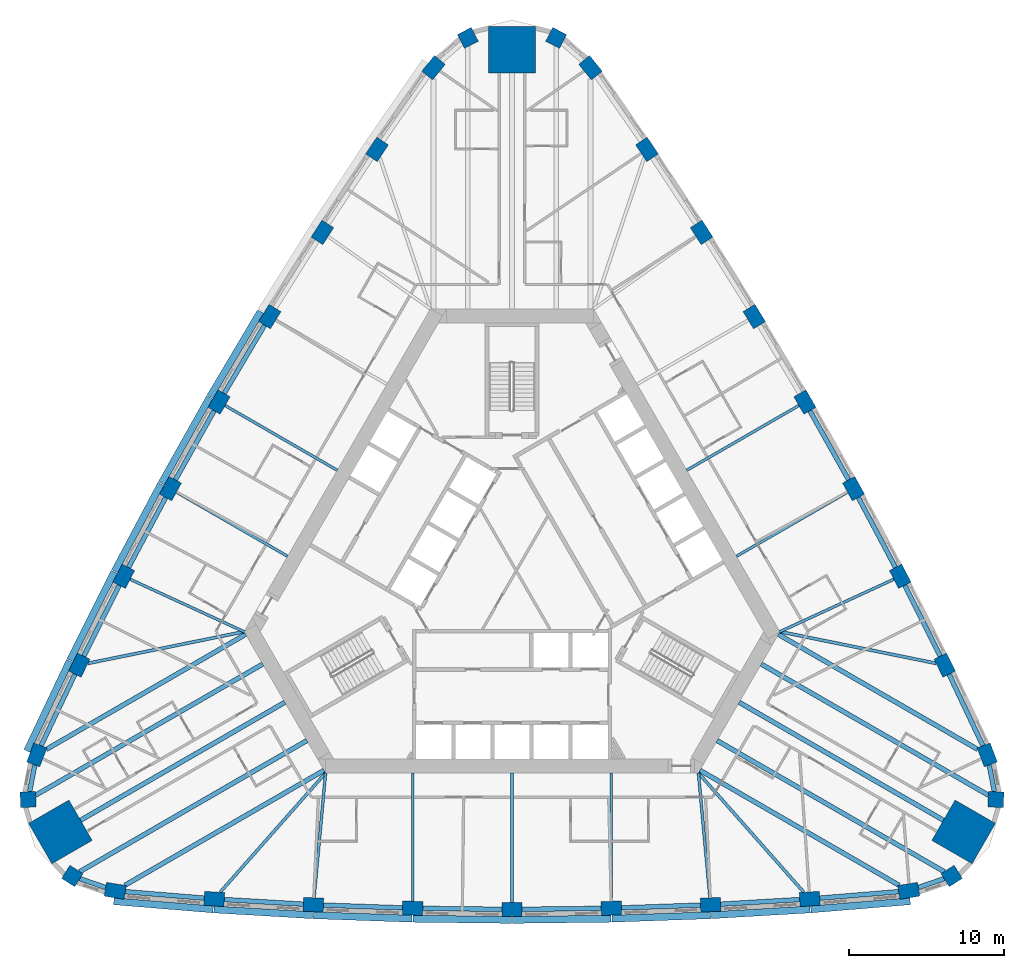
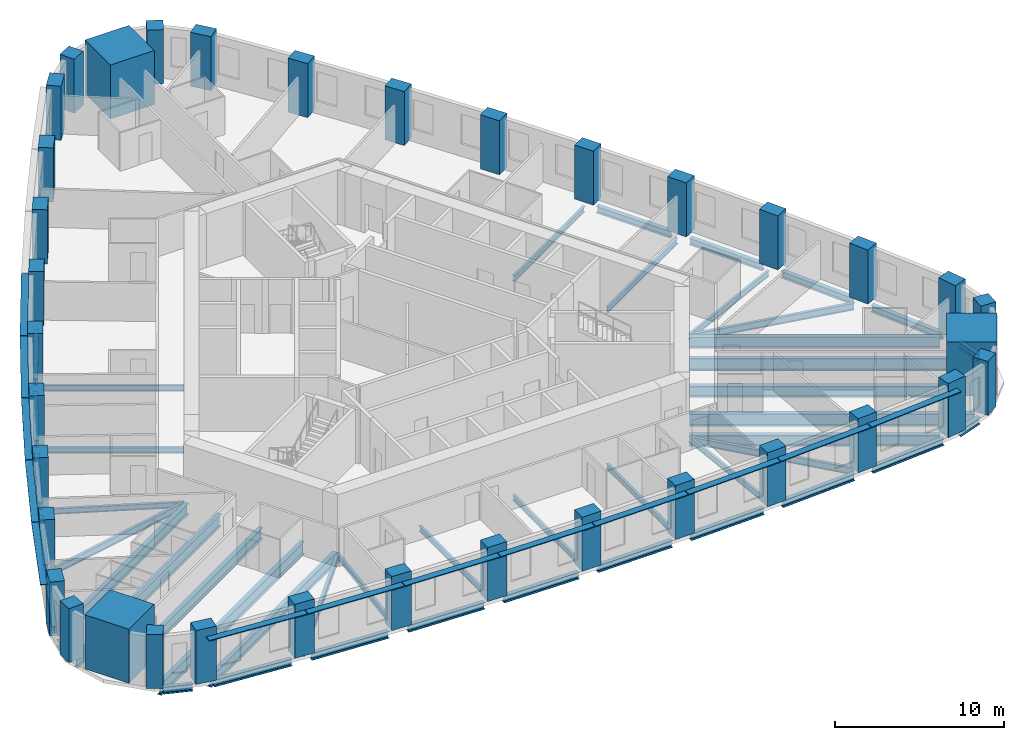
# One storey, part 1 of 12: 46 beams, 36 columns, 13 members.
"""IFC4 building model written with IfcOpenShell, lengths in metres."""

from ifc_helpers import new_model, si_unit, direction, frame, origin, origin_2d, place, context, subcontext, project, spatial, rectangle, i_section, extrude, material, material_profile, profile_set, type_object, element, save


model = new_model("IFC4")

# Units and contexts
model_context = context("Model", 3, precision=1e-05, world=origin(), true_north=direction((0.0, 1.0)))
body_context = subcontext(model_context, "Body", "Model", "MODEL_VIEW")
ifc_project = project(units=[si_unit("LENGTHUNIT", "METRE"), si_unit("AREAUNIT", "SQUARE_METRE"), si_unit("VOLUMEUNIT", "CUBIC_METRE"), si_unit("PLANEANGLEUNIT", "RADIAN"), si_unit("MASSUNIT", "GRAM", prefix="KILO")], contexts=[model_context])

# Site, building, storey
site_placement = place(None, origin())
site = spatial("IfcSite", under=ifc_project, at=site_placement, CompositionType="ELEMENT")
building_placement = place(site_placement, origin())
building = spatial("IfcBuilding", under=site, at=building_placement, Name="Mestral Congress Tower", CompositionType="ELEMENT")
storey_placement = place(building_placement, frame((0.0, 0.0, 122.699951171875)))
storey = spatial("IfcBuildingStorey", under=building, at=storey_placement, Name="L29", CompositionType="ELEMENT", Elevation=122.699951171875)

# Columns
ifc_material_1 = material(Name="Concrete C70/85", Category="concrete")
ifc_material_profile_1 = material_profile(ifc_material_1, rectangle(XDim=1.0, YDim=1.0, at=origin_2d()), Name="RC 1000x1000")
ifc_profile_set_1 = profile_set([ifc_material_profile_1], Name="Concrete C70/85")
column_type_1 = type_object("IfcColumnType", Name="Column RC 1000x1000 C70/85", PredefinedType="COLUMN", material=ifc_profile_set_1)
for number, where, z_axis, x_axis, name in (
    (1, (28.331298828125, -19.642822265625, 0.0), (0.0, 0.0, 1.0), (0.841700252504, 0.53994507585, 0.0), "COL-L29-C2-SE1"),
    (2, (31.1767578125, -14.714111328125, 0.0), (0.0, 0.0, 1.0), (0.046756026083, 0.998906338965, 0.0), "COL-L29-C2-SE3"),
    (3, (2.845703125, 34.35693359375, 0.0), (0.0, 0.0, 1.0), (-0.888456278587, 0.458961263115, 0.0), "COL-L29-C2-N1"),
    (4, (-2.845703125, 34.35693359375, 0.0), (0.0, 0.0, 1.0), (-0.888456278587, -0.458961263115, 0.0), "COL-L29-C2-N3"),
    (5, (-31.1767578125, -14.714111328125, 0.0), (0.0, 0.0, 1.0), (0.046756026083, -0.998906338965, 0.0), "COL-L29-C2-SW1"),
    (6, (-28.331298828125, -19.642822265625, 0.0), (0.0, 0.0, 1.0), (0.841700252504, -0.53994507585, 0.0), "COL-L29-C2-SW3"),
):
    element("IfcColumn", number, at=place(storey_placement, frame(where, z_axis=z_axis, x_axis=x_axis)), inside=storey, type_object=column_type_1, Name=name, PredefinedType="COLUMN", context=body_context, shape_type="SweptSolid", body=[
        extrude(rectangle(XDim=1.0, YDim=1.0, at=origin_2d()), origin(), (0.0, 0.0, 1.0), 3.900146484375),
    ])
ifc_material_profile_2 = material_profile(ifc_material_1, rectangle(XDim=1.300048828125, YDim=0.89990234375, at=origin_2d()), Name="RC 1300x900")
ifc_profile_set_2 = profile_set([ifc_material_profile_2], Name="Concrete C70/85")
column_type_2 = type_object("IfcColumnType", Name="Column RC 1300x900 C70/85", PredefinedType="COLUMN", material=ifc_profile_set_2)
for number, where, z_axis, x_axis, name in (
    (7, (-25.562744140625, -20.59716796875, 0.0), (0.0, 0.0, 1.0), (0.987202314361, -0.159472851987, 0.0), "COL-L29-C2-S00"),
    (8, (-19.184326171875, -21.120361328125, 0.0), (0.0, 0.0, 1.0), (0.997539884588, -0.07010120296, 0.0), "COL-L29-C2-S01"),
    (9, (-12.79541015625, -21.494384765625, 0.0), (0.0, 0.0, 1.0), (0.998906338965, -0.046756026083, 0.0), "COL-L29-C2-S02"),
    (10, (-6.3994140625, -21.71875, 0.0), (0.0, 0.0, 1.0), (0.99972656776, -0.023383535144, 0.0), "COL-L29-C2-S03"),
    (11, (0.0, -21.793701171875, 0.0), (0.0, 0.0, 1.0), (1.0, 0.0, 0.0), "COL-L29-C2-S04"),
    (12, (6.3994140625, -21.71875, 0.0), (0.0, 0.0, 1.0), (0.99972656776, 0.023383535144, 0.0), "COL-L29-C2-S05"),
    (13, (12.79541015625, -21.494384765625, 0.0), (0.0, 0.0, 1.0), (0.998906338965, 0.046756026083, 0.0), "COL-L29-C2-S06"),
    (14, (19.184326171875, -21.120361328125, 0.0), (0.0, 0.0, 1.0), (0.997539884588, 0.07010120296, 0.0), "COL-L29-C2-S07"),
    (15, (25.562744140625, -20.59716796875, 0.0), (0.0, 0.0, 1.0), (0.987202314361, 0.159472851987, 0.0), "COL-L29-C2-S08"),
    (16, (30.618896484375, -11.83935546875, 0.0), (0.0, 0.0, 1.0), (-0.355493616145, 0.934678708905, 0.0), "COL-L29-C2-E00"),
    (17, (27.8828125, -6.0537109375, 0.0), (0.0, 0.0, 1.0), (-0.438060519695, 0.898945482821, 0.0), "COL-L29-C2-E01"),
    (18, (25.01220703125, -0.333984375, 0.0), (0.0, 0.0, 1.0), (-0.458961263115, 0.888456278587, 0.0), "COL-L29-C2-E02"),
    (19, (22.0087890625, 5.3173828125, 0.0), (0.0, 0.0, 1.0), (-0.479612548415, 0.87748037209, 0.0), "COL-L29-C2-E03"),
    (20, (18.873779296875, 10.896728515625, 0.0), (0.0, 0.0, 1.0), (-0.5, 0.866025403784, 0.0), "COL-L29-C2-E04"),
    (21, (15.609375, 16.401611328125, 0.0), (0.0, 0.0, 1.0), (-0.520114019344, 0.854096836946, 0.0), "COL-L29-C2-E05"),
    (22, (12.217041015625, 21.828369140625, 0.0), (0.0, 0.0, 1.0), (-0.53994507585, 0.841700252504, 0.0), "COL-L29-C2-E06"),
    (23, (8.69873046875, 27.17431640625, 0.0), (0.0, 0.0, 1.0), (-0.559479364893, 0.828844279861, 0.0), "COL-L29-C2-E07"),
    (24, (5.056396484375, 32.4365234375, 0.0), (0.0, 0.0, 1.0), (-0.631708698215, 0.775205856918, 0.0), "COL-L29-C2-E08"),
    (25, (-5.056396484375, 32.4365234375, 0.0), (0.0, 0.0, 1.0), (-0.631708698215, -0.775205856918, 0.0), "COL-L29-C2-W00"),
    (26, (-8.69873046875, 27.17431640625, 0.0), (0.0, 0.0, 1.0), (-0.559479364893, -0.828844279861, 0.0), "COL-L29-C2-W01"),
    (27, (-12.217041015625, 21.828369140625, 0.0), (0.0, 0.0, 1.0), (-0.53994507585, -0.841700252504, 0.0), "COL-L29-C2-W02"),
    (28, (-15.609375, 16.401611328125, 0.0), (0.0, 0.0, 1.0), (-0.520114019344, -0.854096836946, 0.0), "COL-L29-C2-W03"),
    (29, (-18.873779296875, 10.896728515625, 0.0), (0.0, 0.0, 1.0), (-0.5, -0.866025403784, 0.0), "COL-L29-C2-W04"),
    (30, (-22.0087890625, 5.3173828125, 0.0), (0.0, 0.0, 1.0), (-0.479612548415, -0.87748037209, 0.0), "COL-L29-C2-W05"),
    (31, (-25.01220703125, -0.333984375, 0.0), (0.0, 0.0, 1.0), (-0.458961263115, -0.888456278587, 0.0), "COL-L29-C2-W06"),
    (32, (-27.8828125, -6.0537109375, 0.0), (0.0, 0.0, 1.0), (-0.438060519695, -0.898945482821, 0.0), "COL-L29-C2-W07"),
    (33, (-30.618896484375, -11.83935546875, 0.0), (0.0, 0.0, 1.0), (-0.355493616145, -0.934678708905, 0.0), "COL-L29-C2-W08"),
):
    element("IfcColumn", number, at=place(storey_placement, frame(where, z_axis=z_axis, x_axis=x_axis)), inside=storey, type_object=column_type_2, Name=name, PredefinedType="COLUMN", context=body_context, shape_type="SweptSolid", body=[
        extrude(rectangle(XDim=1.300048828125, YDim=0.89990234375, at=origin_2d()), origin(), (0.0, 0.0, 1.0), 3.900146484375),
    ])
ifc_material_2 = material(Name="Concrete C80/95", Category="concrete")
ifc_material_profile_3 = material_profile(ifc_material_2, rectangle(XDim=3.0, YDim=3.0, at=origin_2d()), Name="RC 3000x3000")
ifc_profile_set_3 = profile_set([ifc_material_profile_3], Name="Concrete C80/95")
column_type_3 = type_object("IfcColumnType", Name="Mega column RC 3000x3000 C80/95", PredefinedType="COLUMN", material=ifc_profile_set_3)
for number, where, z_axis, x_axis, name in (
    (34, (29.09716796875, -16.79931640625, 0.0), (0.0, 0.0, 1.0), (0.866025403784, -0.5, 0.0), "COL-L29-PY2-SE"),
    (35, (0.0, 33.598388671875, 0.0), (0.0, 0.0, 1.0), (0.0, 1.0, 0.0), "COL-L29-PY2-N"),
    (36, (-29.09716796875, -16.79931640625, 0.0), (0.0, 0.0, 1.0), (-0.866025403784, -0.5, 0.0), "COL-L29-PY2-SW"),
):
    element("IfcColumn", number, at=place(storey_placement, frame(where, z_axis=z_axis, x_axis=x_axis)), inside=storey, type_object=column_type_3, Name=name, PredefinedType="COLUMN", context=body_context, shape_type="SweptSolid", body=[
        extrude(rectangle(XDim=3.0, YDim=3.0, at=origin_2d()), origin(), (0.0, 0.0, 1.0), 3.900146484375),
    ])

# Members
ifc_material_3 = material(Name="Glazed ceramic", Category="masonry")
ifc_material_profile_4 = material_profile(ifc_material_3, rectangle(XDim=0.449951171875, YDim=0.06005859375, at=origin_2d()), Name="Ceramic blade 450 x 60")
ifc_profile_set_4 = profile_set([ifc_material_profile_4], Name="Glazed ceramic")
member_type = type_object("IfcMemberType", Name="Facade sunshade blade 450 x 60", PredefinedType="USERDEFINED", material=ifc_profile_set_4)
member_1_placement = place(storey_placement, frame((-25.654296875, -21.266845703125, 3.280029296875), z_axis=(0.996650616323, -0.081777435656, 0.0), x_axis=(0.081777435656, 0.996650616323, 0.0)))
element("IfcMember", 37, at=member_1_placement, inside=storey, type_object=member_type, Name="Sunshade F0-00", ObjectType="SUNSHADE", PredefinedType="USERDEFINED", context=body_context, shape_type="SweptSolid", body=[
    extrude(rectangle(XDim=0.449951171875, YDim=0.06005859375, at=origin_2d()), origin(), (0.0, 0.0, 1.0), 6.421630859375),
])
for number, where, z_axis, x_axis, name in (
    (38, (-19.208984375, -21.795166015625, 3.280029296875), (0.998292825409, -0.05840748871, 0.0), (0.05840748871, 0.998292825409, 0.0), "Sunshade F0-01"),
    (39, (-12.80419921875, -22.16943359375, 3.280029296875), (0.999384970229, -0.035066811664, 0.0), (0.035066811664, 0.999384970229, 0.0), "Sunshade F0-02"),
    (40, (-6.392578125, -22.393798828125, 3.280029296875), (0.999931231966, -0.011727375608, 0.0), (0.011727375608, 0.999931231966, 0.0), "Sunshade F0-03"),
    (41, (0.022705078125, -22.468505859375, 3.280029296875), (0.999931231966, 0.011727375608, 0.0), (-0.011727375608, 0.999931231966, 0.0), "Sunshade F0-04"),
    (42, (6.437744140625, -22.392822265625, 3.280029296875), (0.999384970229, 0.035066811664, 0.0), (-0.035066811664, 0.999384970229, 0.0), "Sunshade F0-05"),
    (43, (12.849609375, -22.167236328125, 3.280029296875), (0.998292825409, 0.05840748871, 0.0), (-0.05840748871, 0.998292825409, 0.0), "Sunshade F0-06"),
):
    element("IfcMember", number, at=place(storey_placement, frame(where, z_axis=z_axis, x_axis=x_axis)), inside=storey, type_object=member_type, Name=name, ObjectType="SUNSHADE", PredefinedType="USERDEFINED", context=body_context, shape_type="SweptSolid", body=[
        extrude(rectangle(XDim=0.449951171875, YDim=0.06005859375, at=origin_2d()), origin(), (0.0, 0.0, 1.0), 6.370361328125),
    ])
member_2_placement = place(storey_placement, frame((19.254150390625, -21.7919921875, 3.280029296875), z_axis=(0.996650616323, 0.081777435656, 0.0), x_axis=(-0.081777435656, 0.996650616323, 0.0)))
element("IfcMember", 44, at=member_2_placement, inside=storey, type_object=member_type, Name="Sunshade F0-07", ObjectType="SUNSHADE", PredefinedType="USERDEFINED", context=body_context, shape_type="SweptSolid", body=[
    extrude(rectangle(XDim=0.449951171875, YDim=0.06005859375, at=origin_2d()), origin(), (0.0, 0.0, 1.0), 6.421630859375),
])
for number, where, z_axis, x_axis, name in (
    (45, (-16.197509765625, 16.733154296875, 3.280029296875), (-0.510098606231, -0.86011592935, 0.0), (0.86011592935, -0.510098606231, 0.0), "Sunshade F2-03"),
    (46, (-19.469482421875, 11.214599609375, 3.280029296875), (-0.489860886888, -0.871800614531, 0.0), (0.871800614531, -0.489860886888, 0.0), "Sunshade F2-04"),
    (47, (-22.61181640625, 5.62109375, 3.280029296875), (-0.469318672425, -0.883028869128, 0.0), (0.883028869128, -0.469318672425, 0.0), "Sunshade F2-05"),
):
    element("IfcMember", number, at=place(storey_placement, frame(where, z_axis=z_axis, x_axis=x_axis)), inside=storey, type_object=member_type, Name=name, ObjectType="SUNSHADE", PredefinedType="USERDEFINED", context=body_context, shape_type="SweptSolid", body=[
        extrude(rectangle(XDim=0.449951171875, YDim=0.06005859375, at=origin_2d()), origin(), (0.0, 0.0, 1.0), 6.370361328125),
    ])
member_3_placement = place(storey_placement, frame((-25.622314453125, -0.04443359375, 3.280029296875), z_axis=(-0.448531530965, -0.893767008638, 0.0), x_axis=(0.893767008638, -0.448531530965, 0.0)))
element("IfcMember", 48, at=member_3_placement, inside=storey, type_object=member_type, Name="Sunshade F2-06", ObjectType="SUNSHADE", PredefinedType="USERDEFINED", context=body_context, shape_type="SweptSolid", body=[
    extrude(rectangle(XDim=0.449951171875, YDim=0.06005859375, at=origin_2d()), origin(), (0.0, 0.0, 1.0), 6.3701171875),
])
member_4_placement = place(storey_placement, frame((-28.49951171875, -5.778564453125, 3.280029296875), z_axis=(-0.427519164001, -0.904006285604, 0.0), x_axis=(0.904006285604, -0.427519164001, 0.0)))
element("IfcMember", 49, at=member_4_placement, inside=storey, type_object=member_type, Name="Sunshade F2-07", ObjectType="SUNSHADE", PredefinedType="USERDEFINED", context=body_context, shape_type="SweptSolid", body=[
    extrude(rectangle(XDim=0.449951171875, YDim=0.06005859375, at=origin_2d()), origin(), (0.0, 0.0, 1.0), 6.421630859375),
])

# Beams
ifc_material_4 = material(Name="Steel S355", Category="steel")
ifc_material_profile_5 = material_profile(ifc_material_4, i_section(OverallWidth=0.300048828125, OverallDepth=0.800048828125, WebThickness=0.017578125, FlangeThickness=0.032958984375, FilletRadius=0.030029296875, at=origin_2d()), Name="HEB 800")
ifc_profile_set_5 = profile_set([ifc_material_profile_5], Name="Steel S355")
beam_type_1 = type_object("IfcBeamType", Name="Floor beam HEB 800 S355", PredefinedType="BEAM", material=ifc_profile_set_5)
for number, where, z_axis, x_axis, name in (
    (50, (-24.94580078125, -20.240966796875, -0.64990234375), (0.866025146382, 0.500000445834, 0.0), (-0.500000445834, 0.866025146382, 0.0), "BM-L29-RB2-S00"),
    (51, (24.94580078125, -20.240966796875, -0.64990234375), (-0.866025146382, 0.500000445834, 0.0), (-0.500000445834, -0.866025146382, 0.0), "BM-L29-RB2-S08"),
):
    element("IfcBeam", number, at=place(storey_placement, frame(where, z_axis=z_axis, x_axis=x_axis)), inside=storey, type_object=beam_type_1, Name=name, PredefinedType="BEAM", context=body_context, shape_type="SweptSolid", body=[
        extrude(i_section(OverallWidth=0.300048828125, OverallDepth=0.800048828125, WebThickness=0.017578125, FlangeThickness=0.032958984375, FilletRadius=0.030029296875, at=origin_2d()), origin(), (0.0, 0.0, 1.0), 14.82421875),
    ])
beam_1_placement = place(storey_placement, frame((27.798095703125, -16.04931640625, -0.64990234375), z_axis=(-0.866023213189, 0.500003794204, 0.0), x_axis=(-0.500003794204, -0.866023213189, 0.0)))
element("IfcBeam", 52, at=beam_1_placement, inside=storey, type_object=beam_type_1, Name="BM-L29-RB2-SE", PredefinedType="BEAM", context=body_context, shape_type="SweptSolid", body=[
    extrude(i_section(OverallWidth=0.300048828125, OverallDepth=0.800048828125, WebThickness=0.017578125, FlangeThickness=0.032958984375, FilletRadius=0.030029296875, at=origin_2d()), origin(), (0.0, 0.0, 1.0), 15.19873046875),
])
for number, where, z_axis, x_axis, name in (
    (53, (30.002197265625, -11.483154296875, -0.64990234375), (-0.866025146382, 0.500000445834, 0.0), (-0.500000445834, -0.866025146382, 0.0), "BM-L29-RB2-E00"),
    (54, (-30.002197265625, -11.483154296875, -0.64990234375), (0.866025146382, 0.500000445834, 0.0), (-0.500000445834, 0.866025146382, 0.0), "BM-L29-RB2-W08"),
):
    element("IfcBeam", number, at=place(storey_placement, frame(where, z_axis=z_axis, x_axis=x_axis)), inside=storey, type_object=beam_type_1, Name=name, PredefinedType="BEAM", context=body_context, shape_type="SweptSolid", body=[
        extrude(i_section(OverallWidth=0.300048828125, OverallDepth=0.800048828125, WebThickness=0.017578125, FlangeThickness=0.032958984375, FilletRadius=0.030029296875, at=origin_2d()), origin(), (0.0, 0.0, 1.0), 14.82421875),
    ])
beam_2_placement = place(storey_placement, frame((-27.798095703125, -16.04931640625, -0.64990234375), z_axis=(0.866023213189, 0.500003794204, 0.0), x_axis=(-0.500003794204, 0.866023213189, 0.0)))
element("IfcBeam", 55, at=beam_2_placement, inside=storey, type_object=beam_type_1, Name="BM-L29-RB2-SW", PredefinedType="BEAM", context=body_context, shape_type="SweptSolid", body=[
    extrude(i_section(OverallWidth=0.300048828125, OverallDepth=0.800048828125, WebThickness=0.017578125, FlangeThickness=0.032958984375, FilletRadius=0.030029296875, at=origin_2d()), origin(), (0.0, 0.0, 1.0), 15.19873046875),
])
ifc_material_profile_6 = material_profile(ifc_material_4, i_section(OverallWidth=0.300048828125, OverallDepth=0.89990234375, WebThickness=0.0185546875, FlangeThickness=0.034912109375, FilletRadius=0.030029296875, at=origin_2d()), Name="HEB 900")
ifc_profile_set_6 = profile_set([ifc_material_profile_6], Name="Steel S355")
beam_type_2 = type_object("IfcBeamType", Name="Floor beam HEB 900 S355", PredefinedType="BEAM", material=ifc_profile_set_6)
beam_3_placement = place(storey_placement, frame((27.84375, -19.361328125, -0.699951171875), z_axis=(-0.866024587677, 0.500001413537, 0.0), x_axis=(-0.500001413537, -0.866024587677, 0.0)))
element("IfcBeam", 56, at=beam_3_placement, inside=storey, type_object=beam_type_2, Name="BM-L29-RB2-SE1", PredefinedType="BEAM", context=body_context, shape_type="SweptSolid", body=[
    extrude(i_section(OverallWidth=0.300048828125, OverallDepth=0.89990234375, WebThickness=0.0185546875, FlangeThickness=0.034912109375, FilletRadius=0.030029296875, at=origin_2d()), origin(), (0.0, 0.0, 1.0), 16.89404296875),
])
for number, where, z_axis, x_axis, name in (
    (57, (30.689453125, -14.4326171875, -0.699951171875), (-0.866028200461, 0.499995155983, 0.0), (-0.499995155983, -0.866028200461, 0.0), "BM-L29-RB2-SE3"),
    (58, (-30.689453125, -14.4326171875, -0.699951171875), (0.866028200461, 0.499995155983, 0.0), (-0.499995155983, 0.866028200461, 0.0), "BM-L29-RB2-SW1"),
):
    element("IfcBeam", number, at=place(storey_placement, frame(where, z_axis=z_axis, x_axis=x_axis)), inside=storey, type_object=beam_type_2, Name=name, PredefinedType="BEAM", context=body_context, shape_type="SweptSolid", body=[
        extrude(i_section(OverallWidth=0.300048828125, OverallDepth=0.89990234375, WebThickness=0.0185546875, FlangeThickness=0.034912109375, FilletRadius=0.030029296875, at=origin_2d()), origin(), (0.0, 0.0, 1.0), 16.894287109375),
    ])
beam_4_placement = place(storey_placement, frame((-27.84375, -19.361328125, -0.699951171875), z_axis=(0.866024587677, 0.500001413537, 0.0), x_axis=(-0.500001413537, 0.866024587677, 0.0)))
element("IfcBeam", 59, at=beam_4_placement, inside=storey, type_object=beam_type_2, Name="BM-L29-RB2-SW3", PredefinedType="BEAM", context=body_context, shape_type="SweptSolid", body=[
    extrude(i_section(OverallWidth=0.300048828125, OverallDepth=0.89990234375, WebThickness=0.0185546875, FlangeThickness=0.034912109375, FilletRadius=0.030029296875, at=origin_2d()), origin(), (0.0, 0.0, 1.0), 16.89404296875),
])
ifc_material_profile_7 = material_profile(ifc_material_4, i_section(OverallWidth=0.179931640625, OverallDepth=0.39990234375, WebThickness=0.008544921875, FlangeThickness=0.013427734375, FilletRadius=0.02099609375, at=origin_2d()), Name="IPE 400")
ifc_profile_set_7 = profile_set([ifc_material_profile_7], Name="Steel S355")
beam_type_3 = type_object("IfcBeamType", Name="Floor beam IPE 400 S355", PredefinedType="BEAM", material=ifc_profile_set_7)
beam_5_placement = place(storey_placement, frame((-12.753662109375, -21.0458984375, -0.449951171875), z_axis=(0.092183786594, 0.995742009503, 0.0), x_axis=(-0.995742009503, 0.092183786594, 0.0)))
element("IfcBeam", 60, at=beam_5_placement, inside=storey, type_object=beam_type_3, Name="BM-L29-RB2-S02", PredefinedType="BEAM", context=body_context, shape_type="SweptSolid", body=[
    extrude(i_section(OverallWidth=0.179931640625, OverallDepth=0.39990234375, WebThickness=0.008544921875, FlangeThickness=0.013427734375, FilletRadius=0.02099609375, at=origin_2d()), origin(), (0.0, 0.0, 1.0), 8.080322265625),
])
beam_6_placement = place(storey_placement, frame((-6.3994140625, -21.268798828125, -0.449951171875), z_axis=(0.0, 1.0, 0.0), x_axis=(-1.0, 0.0, 0.0)))
element("IfcBeam", 61, at=beam_6_placement, inside=storey, type_object=beam_type_3, Name="BM-L29-RB2-S03", PredefinedType="BEAM", context=body_context, shape_type="SweptSolid", body=[
    extrude(i_section(OverallWidth=0.179931640625, OverallDepth=0.39990234375, WebThickness=0.008544921875, FlangeThickness=0.013427734375, FilletRadius=0.02099609375, at=origin_2d()), origin(), (0.0, 0.0, 1.0), 8.268798828125),
])
beam_7_placement = place(storey_placement, frame((0.0, -21.343505859375, -0.449951171875), z_axis=(0.0, 1.0, 0.0), x_axis=(-1.0, 0.0, 0.0)))
element("IfcBeam", 62, at=beam_7_placement, inside=storey, type_object=beam_type_3, Name="BM-L29-RB2-S04", PredefinedType="BEAM", context=body_context, shape_type="SweptSolid", body=[
    extrude(i_section(OverallWidth=0.179931640625, OverallDepth=0.39990234375, WebThickness=0.008544921875, FlangeThickness=0.013427734375, FilletRadius=0.02099609375, at=origin_2d()), origin(), (0.0, 0.0, 1.0), 8.343505859375),
])
beam_8_placement = place(storey_placement, frame((6.3994140625, -21.268798828125, -0.449951171875), z_axis=(0.0, 1.0, 0.0), x_axis=(-1.0, 0.0, 0.0)))
element("IfcBeam", 63, at=beam_8_placement, inside=storey, type_object=beam_type_3, Name="BM-L29-RB2-S05", PredefinedType="BEAM", context=body_context, shape_type="SweptSolid", body=[
    extrude(i_section(OverallWidth=0.179931640625, OverallDepth=0.39990234375, WebThickness=0.008544921875, FlangeThickness=0.013427734375, FilletRadius=0.02099609375, at=origin_2d()), origin(), (0.0, 0.0, 1.0), 8.268798828125),
])
beam_9_placement = place(storey_placement, frame((12.753662109375, -21.0458984375, -0.449951171875), z_axis=(-0.092183786594, 0.995742009503, 0.0), x_axis=(-0.995742009503, -0.092183786594, 0.0)))
element("IfcBeam", 64, at=beam_9_placement, inside=storey, type_object=beam_type_3, Name="BM-L29-RB2-S06", PredefinedType="BEAM", context=body_context, shape_type="SweptSolid", body=[
    extrude(i_section(OverallWidth=0.179931640625, OverallDepth=0.39990234375, WebThickness=0.008544921875, FlangeThickness=0.013427734375, FilletRadius=0.02099609375, at=origin_2d()), origin(), (0.0, 0.0, 1.0), 8.080322265625),
])
beam_10_placement = place(storey_placement, frame((24.60302734375, -0.522216796875, -0.449951171875), z_axis=(-0.908437217841, -0.418021316731, 0.0), x_axis=(0.418021316731, -0.908437217841, 0.0)))
element("IfcBeam", 65, at=beam_10_placement, inside=storey, type_object=beam_type_3, Name="BM-L29-RB2-E02", PredefinedType="BEAM", context=body_context, shape_type="SweptSolid", body=[
    extrude(i_section(OverallWidth=0.179931640625, OverallDepth=0.39990234375, WebThickness=0.008544921875, FlangeThickness=0.013427734375, FilletRadius=0.02099609375, at=origin_2d()), origin(), (0.0, 0.0, 1.0), 8.080078125),
])
beam_11_placement = place(storey_placement, frame((21.618896484375, 5.09228515625, -0.449951171875), z_axis=(-0.866028737439, -0.499994225897, 0.0), x_axis=(0.499994225897, -0.866028737439, 0.0)))
element("IfcBeam", 66, at=beam_11_placement, inside=storey, type_object=beam_type_3, Name="BM-L29-RB2-E03", PredefinedType="BEAM", context=body_context, shape_type="SweptSolid", body=[
    extrude(i_section(OverallWidth=0.179931640625, OverallDepth=0.39990234375, WebThickness=0.008544921875, FlangeThickness=0.013427734375, FilletRadius=0.02099609375, at=origin_2d()), origin(), (0.0, 0.0, 1.0), 8.2685546875),
])
for number, where, z_axis, x_axis, name in (
    (67, (18.484130859375, 10.671875, -0.449951171875), (-0.86602332482, -0.500003600855, 0.0), (0.500003600855, -0.86602332482, 0.0), "BM-L29-RB2-E04"),
    (68, (-18.484130859375, 10.671875, -0.449951171875), (0.86602332482, -0.500003600855, 0.0), (0.500003600855, 0.86602332482, 0.0), "BM-L29-RB2-W04"),
):
    element("IfcBeam", number, at=place(storey_placement, frame(where, z_axis=z_axis, x_axis=x_axis)), inside=storey, type_object=beam_type_3, Name=name, PredefinedType="BEAM", context=body_context, shape_type="SweptSolid", body=[
        extrude(i_section(OverallWidth=0.179931640625, OverallDepth=0.39990234375, WebThickness=0.008544921875, FlangeThickness=0.013427734375, FilletRadius=0.02099609375, at=origin_2d()), origin(), (0.0, 0.0, 1.0), 8.34375),
    ])
beam_12_placement = place(storey_placement, frame((-21.618896484375, 5.09228515625, -0.449951171875), z_axis=(0.866028737439, -0.499994225897, 0.0), x_axis=(0.499994225897, 0.866028737439, 0.0)))
element("IfcBeam", 69, at=beam_12_placement, inside=storey, type_object=beam_type_3, Name="BM-L29-RB2-W05", PredefinedType="BEAM", context=body_context, shape_type="SweptSolid", body=[
    extrude(i_section(OverallWidth=0.179931640625, OverallDepth=0.39990234375, WebThickness=0.008544921875, FlangeThickness=0.013427734375, FilletRadius=0.02099609375, at=origin_2d()), origin(), (0.0, 0.0, 1.0), 8.2685546875),
])
beam_13_placement = place(storey_placement, frame((-24.60302734375, -0.522216796875, -0.449951171875), z_axis=(0.908437217841, -0.418021316731, 0.0), x_axis=(0.418021316731, 0.908437217841, 0.0)))
element("IfcBeam", 70, at=beam_13_placement, inside=storey, type_object=beam_type_3, Name="BM-L29-RB2-W06", PredefinedType="BEAM", context=body_context, shape_type="SweptSolid", body=[
    extrude(i_section(OverallWidth=0.179931640625, OverallDepth=0.39990234375, WebThickness=0.008544921875, FlangeThickness=0.013427734375, FilletRadius=0.02099609375, at=origin_2d()), origin(), (0.0, 0.0, 1.0), 8.080078125),
])
ifc_material_profile_8 = material_profile(ifc_material_4, i_section(OverallWidth=0.199951171875, OverallDepth=0.5, WebThickness=0.01025390625, FlangeThickness=0.01611328125, FilletRadius=0.02099609375, at=origin_2d()), Name="IPE 500")
ifc_profile_set_8 = profile_set([ifc_material_profile_8], Name="Steel S355")
beam_type_4 = type_object("IfcBeamType", Name="Floor beam IPE 500 S355", PredefinedType="BEAM", material=ifc_profile_set_8)
for number, where, z_axis, x_axis, name in (
    (71, (-18.80908203125, -20.695556640625, -0.5), (0.662174203587, 0.749349934346, 0.0), (-0.749349934346, 0.662174203587, 0.0), "BM-L29-RB2-S01"),
    (72, (18.80908203125, -20.695556640625, -0.5), (-0.662174203587, 0.749349934346, 0.0), (-0.749349934346, -0.662174203587, 0.0), "BM-L29-RB2-S07"),
    (73, (27.327392578125, -5.941162109375, -0.5), (-0.980046767137, 0.198767035052, 0.0), (-0.198767035052, -0.980046767137, 0.0), "BM-L29-RB2-E01"),
    (74, (-27.327392578125, -5.941162109375, -0.5), (0.980046767137, 0.198767035052, 0.0), (-0.198767035052, 0.980046767137, 0.0), "BM-L29-RB2-W07"),
):
    element("IfcBeam", number, at=place(storey_placement, frame(where, z_axis=z_axis, x_axis=x_axis)), inside=storey, type_object=beam_type_4, Name=name, PredefinedType="BEAM", context=body_context, shape_type="SweptSolid", body=[
        extrude(i_section(OverallWidth=0.199951171875, OverallDepth=0.5, WebThickness=0.01025390625, FlangeThickness=0.01611328125, FilletRadius=0.02099609375, at=origin_2d()), origin(), (0.0, 0.0, 1.0), 10.26953125),
    ])
ifc_material_profile_9 = material_profile(ifc_material_4, i_section(OverallWidth=0.300048828125, OverallDepth=0.489990234375, WebThickness=0.011962890625, FlangeThickness=0.02294921875, FilletRadius=0.027099609375, at=origin_2d()), Name="HEA 500")
ifc_profile_set_9 = profile_set([ifc_material_profile_9], Name="Steel S355")
beam_type_5 = type_object("IfcBeamType", Name="Spandrel beam HEA 500 S355", PredefinedType="BEAM", material=ifc_profile_set_9)
beam_14_placement = place(storey_placement, frame((-24.912841796875, -20.650390625, -0.494873046875), z_axis=(0.996652597162, -0.081753290887, 0.0), x_axis=(0.081753290887, 0.996652597162, 0.0)))
element("IfcBeam", 75, at=beam_14_placement, inside=storey, type_object=beam_type_5, Name="SP-L29-SB2-S00", PredefinedType="BEAM", context=body_context, shape_type="SweptSolid", body=[
    extrude(i_section(OverallWidth=0.300048828125, OverallDepth=0.489990234375, WebThickness=0.011962890625, FlangeThickness=0.02294921875, FilletRadius=0.027099609375, at=origin_2d()), origin(), (0.0, 0.0, 1.0), 5.09765625),
])
for number, where, z_axis, x_axis, name in (
    (76, (-18.535400390625, -21.158447265625, -0.494873046875), (0.998292976718, -0.058404902489, 0.0), (0.058404902489, 0.998292976718, 0.0), "SP-L29-SB2-S01"),
    (77, (-12.145751953125, -21.51708984375, -0.494873046875), (0.999384139945, -0.035090466305, 0.0), (0.035090466305, 0.999384139945, 0.0), "SP-L29-SB2-S02"),
    (78, (-5.74951171875, -21.726318359375, -0.494873046875), (0.999931780034, -0.011680551241, 0.0), (0.011680551241, 0.999931780034, 0.0), "SP-L29-SB2-S03"),
    (79, (0.64990234375, -21.785888671875, -0.494873046875), (0.999931780034, 0.011680551241, 0.0), (-0.011680551241, 0.999931780034, 0.0), "SP-L29-SB2-S04"),
    (80, (7.049072265625, -21.696044921875, -0.494873046875), (0.999384139945, 0.035090466305, 0.0), (-0.035090466305, 0.999384139945, 0.0), "SP-L29-SB2-S05"),
    (81, (13.4443359375, -21.456298828125, -0.494873046875), (0.998292976718, 0.058404902489, 0.0), (-0.058404902489, 0.998292976718, 0.0), "SP-L29-SB2-S06"),
):
    element("IfcBeam", number, at=place(storey_placement, frame(where, z_axis=z_axis, x_axis=x_axis)), inside=storey, type_object=beam_type_5, Name=name, PredefinedType="BEAM", context=body_context, shape_type="SweptSolid", body=[
        extrude(i_section(OverallWidth=0.300048828125, OverallDepth=0.489990234375, WebThickness=0.011962890625, FlangeThickness=0.02294921875, FilletRadius=0.027099609375, at=origin_2d()), origin(), (0.0, 0.0, 1.0), 5.099853515625),
    ])
beam_15_placement = place(storey_placement, frame((19.832275390625, -21.067138671875, -0.494873046875), z_axis=(0.996652597162, 0.081753290887, 0.0), x_axis=(-0.081753290887, 0.996652597162, 0.0)))
element("IfcBeam", 82, at=beam_15_placement, inside=storey, type_object=beam_type_5, Name="SP-L29-SB2-S07", PredefinedType="BEAM", context=body_context, shape_type="SweptSolid", body=[
    extrude(i_section(OverallWidth=0.300048828125, OverallDepth=0.489990234375, WebThickness=0.011962890625, FlangeThickness=0.02294921875, FilletRadius=0.027099609375, at=origin_2d()), origin(), (0.0, 0.0, 1.0), 5.09765625),
])
for number, where, z_axis, x_axis, name in (
    (83, (26.186279296875, -20.382080078125, -0.494873046875), (0.945433605893, 0.325814819873, 0.0), (-0.325814819873, 0.945433605893, 0.0), "SP-L29-SB2-S08"),
    (84, (31.078857421875, -14.208984375, -0.494873046875), (-0.190545536928, 0.981678357894, 0.0), (-0.981678357894, -0.190545536928, 0.0), "SP-L29-SB2-SE3"),
):
    element("IfcBeam", number, at=place(storey_placement, frame(where, z_axis=z_axis, x_axis=x_axis)), inside=storey, type_object=beam_type_5, Name=name, PredefinedType="BEAM", context=body_context, shape_type="SweptSolid", body=[
        extrude(i_section(OverallWidth=0.300048828125, OverallDepth=0.489990234375, WebThickness=0.011962890625, FlangeThickness=0.02294921875, FilletRadius=0.027099609375, at=origin_2d()), origin(), (0.0, 0.0, 1.0), 1.754150390625),
    ])
beam_16_placement = place(storey_placement, frame((30.34033203125, -11.25, -0.494873046875), z_axis=(-0.427509849729, 0.904010690415, 0.0), x_axis=(-0.904010690415, -0.427509849729, 0.0)))
element("IfcBeam", 85, at=beam_16_placement, inside=storey, type_object=beam_type_5, Name="SP-L29-SB2-E00", PredefinedType="BEAM", context=body_context, shape_type="SweptSolid", body=[
    extrude(i_section(OverallWidth=0.300048828125, OverallDepth=0.489990234375, WebThickness=0.011962890625, FlangeThickness=0.02294921875, FilletRadius=0.027099609375, at=origin_2d()), origin(), (0.0, 0.0, 1.0), 5.097900390625),
])
for number, where, z_axis, x_axis, name in (
    (86, (27.59130859375, -5.472900390625, -0.494873046875), (-0.448515247182, 0.89377518037, 0.0), (-0.89377518037, -0.448515247182, 0.0), "SP-L29-SB2-E01"),
    (87, (24.707275390625, 0.239990234375, -0.494873046875), (-0.469288226496, 0.883045050081, 0.0), (-0.883045050081, -0.469288226496, 0.0), "SP-L29-SB2-E02"),
    (88, (21.6904296875, 5.884033203125, -0.494873046875), (-0.489836148985, 0.871814514187, 0.0), (-0.871814514187, -0.489836148985, 0.0), "SP-L29-SB2-E03"),
    (89, (-15.94091796875, 15.84228515625, -0.494873046875), (-0.510081870963, -0.860125854114, 0.0), (0.860125854114, -0.510081870963, 0.0), "SP-L29-SB2-W03"),
    (90, (-19.1923828125, 10.330078125, -0.494873046875), (-0.489836148985, -0.871814514187, 0.0), (0.871814514187, -0.489836148985, 0.0), "SP-L29-SB2-W04"),
    (91, (-22.31396484375, 4.743408203125, -0.494873046875), (-0.469288226496, -0.883045050081, 0.0), (0.883045050081, -0.469288226496, 0.0), "SP-L29-SB2-W05"),
    (92, (-25.303955078125, -0.914794921875, -0.494873046875), (-0.448515247182, -0.89377518037, 0.0), (0.89377518037, -0.448515247182, 0.0), "SP-L29-SB2-W06"),
):
    element("IfcBeam", number, at=place(storey_placement, frame(where, z_axis=z_axis, x_axis=x_axis)), inside=storey, type_object=beam_type_5, Name=name, PredefinedType="BEAM", context=body_context, shape_type="SweptSolid", body=[
        extrude(i_section(OverallWidth=0.300048828125, OverallDepth=0.489990234375, WebThickness=0.011962890625, FlangeThickness=0.02294921875, FilletRadius=0.027099609375, at=origin_2d()), origin(), (0.0, 0.0, 1.0), 5.099853515625),
    ])
beam_17_placement = place(storey_placement, frame((-28.160888671875, -6.641357421875, -0.494873046875), z_axis=(-0.427509849729, -0.904010690415, 0.0), x_axis=(0.904010690415, -0.427509849729, 0.0)))
element("IfcBeam", 93, at=beam_17_placement, inside=storey, type_object=beam_type_5, Name="SP-L29-SB2-W07", PredefinedType="BEAM", context=body_context, shape_type="SweptSolid", body=[
    extrude(i_section(OverallWidth=0.300048828125, OverallDepth=0.489990234375, WebThickness=0.011962890625, FlangeThickness=0.02294921875, FilletRadius=0.027099609375, at=origin_2d()), origin(), (0.0, 0.0, 1.0), 5.097900390625),
])
for number, where, z_axis, x_axis, name in (
    (94, (-30.74462890625, -12.487060546875, -0.494873046875), (-0.190545536928, -0.981678357894, 0.0), (0.981678357894, -0.190545536928, 0.0), "SP-L29-SB2-W08"),
    (95, (-27.8447265625, -19.810546875, -0.494873046875), (0.945433605893, -0.325814819873, 0.0), (0.325814819873, 0.945433605893, 0.0), "SP-L29-SB2-SW3"),
):
    element("IfcBeam", number, at=place(storey_placement, frame(where, z_axis=z_axis, x_axis=x_axis)), inside=storey, type_object=beam_type_5, Name=name, PredefinedType="BEAM", context=body_context, shape_type="SweptSolid", body=[
        extrude(i_section(OverallWidth=0.300048828125, OverallDepth=0.489990234375, WebThickness=0.011962890625, FlangeThickness=0.02294921875, FilletRadius=0.027099609375, at=origin_2d()), origin(), (0.0, 0.0, 1.0), 1.754150390625),
    ])

save(model, "model.ifc")
